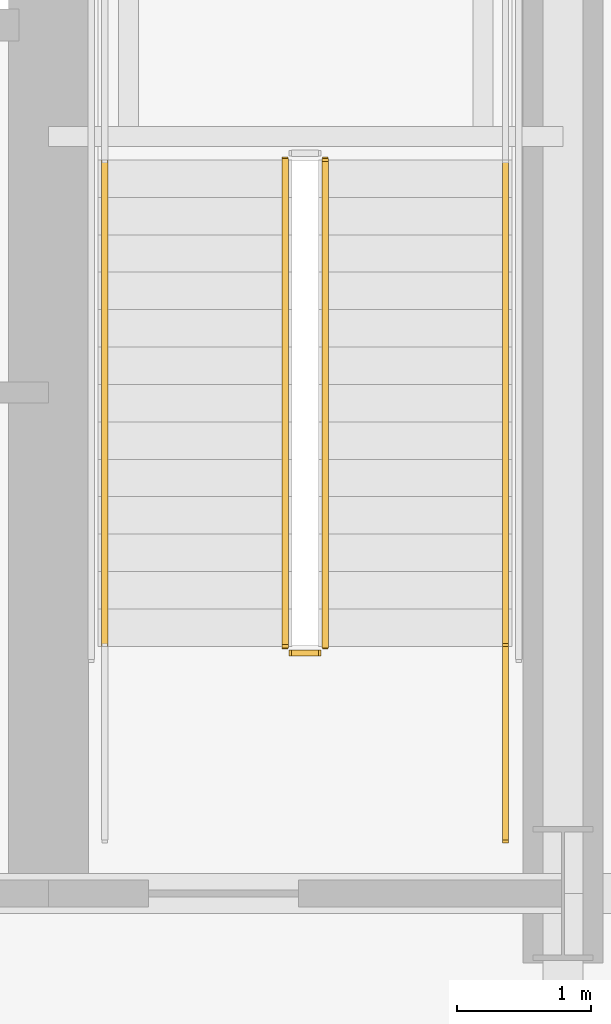
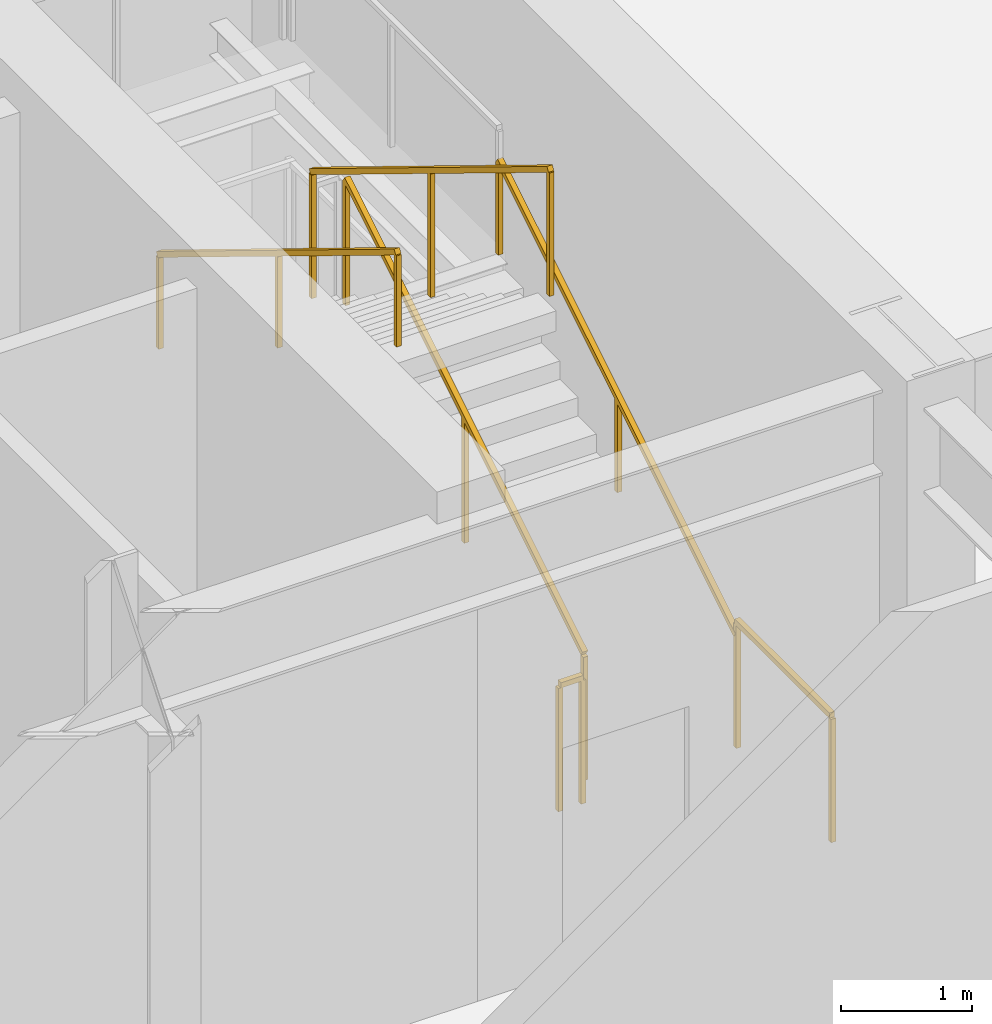
# One storey, part 20 of 28: 6 railings.
"""IFC4 building model written with IfcOpenShell, lengths in metres."""

from ifc_helpers import new_model, si_unit, direction, frame, origin, origin_2d, place, context, subcontext, project, spatial, rectangle, extrude, material, type_object, element, save


model = new_model("IFC4")

# Units and contexts
model_context = context("Model", 3, precision=1e-05, world=origin(), true_north=direction((0.0, 1.0)))
body_context = subcontext(model_context, "Body", "Model", "MODEL_VIEW")
ifc_project = project(units=[si_unit("LENGTHUNIT", "METRE"), si_unit("AREAUNIT", "SQUARE_METRE"), si_unit("VOLUMEUNIT", "CUBIC_METRE"), si_unit("PLANEANGLEUNIT", "RADIAN"), si_unit("MASSUNIT", "GRAM", prefix="KILO")], contexts=[model_context])

# Site, building, storey
site_placement = place(None, origin())
site = spatial("IfcSite", under=ifc_project, at=site_placement, CompositionType="ELEMENT")
building_placement = place(site_placement, origin())
building = spatial("IfcBuilding", under=site, at=building_placement, Name="Haevon Station Towers", CompositionType="ELEMENT")
storey_placement = place(building_placement, frame((0.0, 0.0, 10.800048828125)))
storey = spatial("IfcBuildingStorey", under=building, at=storey_placement, Name="L02", CompositionType="ELEMENT", Elevation=10.800048828125)

# Railings
ifc_material = material(Name="Steel S355", Category="steel")
railing_type_1 = type_object("IfcRailingType", Name="GRD-STR1200", PredefinedType="GUARDRAIL", material=ifc_material)
railing_1_placement = place(storey_placement, frame((49.219970703125, 40.050048828125, 0.17138671875)))
element("IfcRailing", 1, at=railing_1_placement, inside=storey, type_object=railing_type_1, Name="L02 ST2 Stair Guard 1", PredefinedType="GUARDRAIL", context=body_context, shape_type="SweptSolid", body=[
    extrude(rectangle(XDim=0.048095703125, YDim=0.048095703125, at=origin_2d()), frame((0.0, 0.0, 1.17578125), z_axis=(0.0, 0.852850264322, 0.5221555579), x_axis=(-1.0, 0.0, 0.0)), (0.0, 0.0, 1.0), 4.267822265625),
    extrude(rectangle(XDim=0.0419921875, YDim=0.0419921875, at=origin_2d()), origin(), (0.0, 0.0, 1.0), 1.15185546875),
    extrude(rectangle(XDim=0.0419921875, YDim=0.0419921875, at=origin_2d()), frame((0.0, 1.81982421875, 1.1142578125)), (0.0, 0.0, 1.0), 1.15185546875),
    extrude(rectangle(XDim=0.0419921875, YDim=0.0419921875, at=origin_2d()), frame((0.0, 3.639892578125, 2.228515625)), (0.0, 0.0, 1.0), 1.15185546875),
])
railing_2_placement = place(storey_placement, frame((48.919921875, 43.68994140625, 2.5712890625)))
element("IfcRailing", 2, at=railing_2_placement, inside=storey, type_object=railing_type_1, Name="L02 ST2 Stair Guard 6", PredefinedType="GUARDRAIL", context=body_context, shape_type="SweptSolid", body=[
    extrude(rectangle(XDim=0.048095703125, YDim=0.048095703125, at=origin_2d()), frame((0.0, 0.0, 1.17578125), z_axis=(0.0, -0.852824790078, 0.522197163366), x_axis=(1.0, 0.0, 0.0)), (0.0, 0.0, 1.0), 4.26806640625),
    extrude(rectangle(XDim=0.0419921875, YDim=0.0419921875, at=origin_2d()), origin(), (0.0, 0.0, 1.0), 1.15185546875),
    extrude(rectangle(XDim=0.0419921875, YDim=0.0419921875, at=origin_2d()), frame((0.0, -1.81982421875, 1.1142578125)), (0.0, 0.0, 1.0), 1.15185546875),
    extrude(rectangle(XDim=0.0419921875, YDim=0.0419921875, at=origin_2d()), frame((0.0, -3.639892578125, 2.228759765625)), (0.0, 0.0, 1.0), 1.15185546875),
])
railing_3_placement = place(storey_placement, frame((49.169921875, 40.0, 0.0)))
element("IfcRailing", 3, at=railing_3_placement, inside=storey, type_object=railing_type_1, Name="L02 ST2 Stair Guard 7", PredefinedType="GUARDRAIL", context=body_context, shape_type="SweptSolid", body=[
    extrude(rectangle(XDim=0.048095703125, YDim=0.048095703125, at=origin_2d()), frame((0.0, 0.0, 1.17578125), z_axis=(-1.0, 0.0, 0.0), x_axis=(0.0, -1.0, 0.0)), (0.0, 0.0, 1.0), 0.199951171875),
    extrude(rectangle(XDim=0.0419921875, YDim=0.0419921875, at=origin_2d()), origin(), (0.0, 0.0, 1.0), 1.15185546875),
    extrude(rectangle(XDim=0.0419921875, YDim=0.0419921875, at=origin_2d()), frame((-0.199951171875, 0.0, 0.0)), (0.0, 0.0, 1.0), 1.15185546875),
])
railing_4_placement = place(storey_placement, frame((50.570068359375, 38.60009765625, 0.0)))
element("IfcRailing", 4, at=railing_4_placement, inside=storey, type_object=railing_type_1, Name="L02 ST2 Stair Guard 8", PredefinedType="GUARDRAIL", context=body_context, shape_type="SweptSolid", body=[
    extrude(rectangle(XDim=0.048095703125, YDim=0.048095703125, at=origin_2d()), frame((0.0, 0.0, 1.17578125), z_axis=(0.0, 1.0, 0.0), x_axis=(-1.0, 0.0, 0.0)), (0.0, 0.0, 1.0), 1.449951171875),
    extrude(rectangle(XDim=0.0419921875, YDim=0.0419921875, at=origin_2d()), origin(), (0.0, 0.0, 1.0), 1.15185546875),
    extrude(rectangle(XDim=0.0419921875, YDim=0.0419921875, at=origin_2d()), frame((0.0, 1.449951171875, 0.0)), (0.0, 0.0, 1.0), 1.15185546875),
])
railing_type_2 = type_object("IfcRailingType", Name="HND-STR900", PredefinedType="HANDRAIL", material=ifc_material)
railing_5_placement = place(storey_placement, frame((50.570068359375, 40.050048828125, 0.17138671875)))
element("IfcRailing", 5, at=railing_5_placement, inside=storey, type_object=railing_type_2, Name="L02 ST2 Stair Handrail 1", PredefinedType="HANDRAIL", context=body_context, shape_type="SweptSolid", body=[
    extrude(rectangle(XDim=0.048095703125, YDim=0.048095703125, at=origin_2d()), frame((0.0, 0.0, 0.8759765625), z_axis=(0.0, 0.852850264322, 0.5221555579), x_axis=(-1.0, 0.0, 0.0)), (0.0, 0.0, 1.0), 4.267822265625),
    extrude(rectangle(XDim=0.0419921875, YDim=0.0419921875, at=origin_2d()), origin(), (0.0, 0.0, 1.0), 0.851806640625),
    extrude(rectangle(XDim=0.0419921875, YDim=0.0419921875, at=origin_2d()), frame((0.0, 1.81982421875, 1.1142578125)), (0.0, 0.0, 1.0), 0.851806640625),
    extrude(rectangle(XDim=0.0419921875, YDim=0.0419921875, at=origin_2d()), frame((0.0, 3.639892578125, 2.228515625)), (0.0, 0.0, 1.0), 0.851806640625),
])
railing_6_placement = place(storey_placement, frame((47.570068359375, 43.68994140625, 2.5712890625)))
element("IfcRailing", 6, at=railing_6_placement, inside=storey, type_object=railing_type_2, Name="L02 ST2 Stair Handrail 2", PredefinedType="HANDRAIL", context=body_context, shape_type="SweptSolid", body=[
    extrude(rectangle(XDim=0.048095703125, YDim=0.048095703125, at=origin_2d()), frame((0.0, 0.0, 0.8759765625), z_axis=(0.0, -0.852824790078, 0.522197163366), x_axis=(1.0, 0.0, 0.0)), (0.0, 0.0, 1.0), 4.26806640625),
    extrude(rectangle(XDim=0.0419921875, YDim=0.0419921875, at=origin_2d()), origin(), (0.0, 0.0, 1.0), 0.851806640625),
    extrude(rectangle(XDim=0.0419921875, YDim=0.0419921875, at=origin_2d()), frame((0.0, -1.81982421875, 1.1142578125)), (0.0, 0.0, 1.0), 0.851806640625),
    extrude(rectangle(XDim=0.0419921875, YDim=0.0419921875, at=origin_2d()), frame((0.0, -3.639892578125, 2.228759765625)), (0.0, 0.0, 1.0), 0.851806640625),
])

save(model, "model.ifc")
